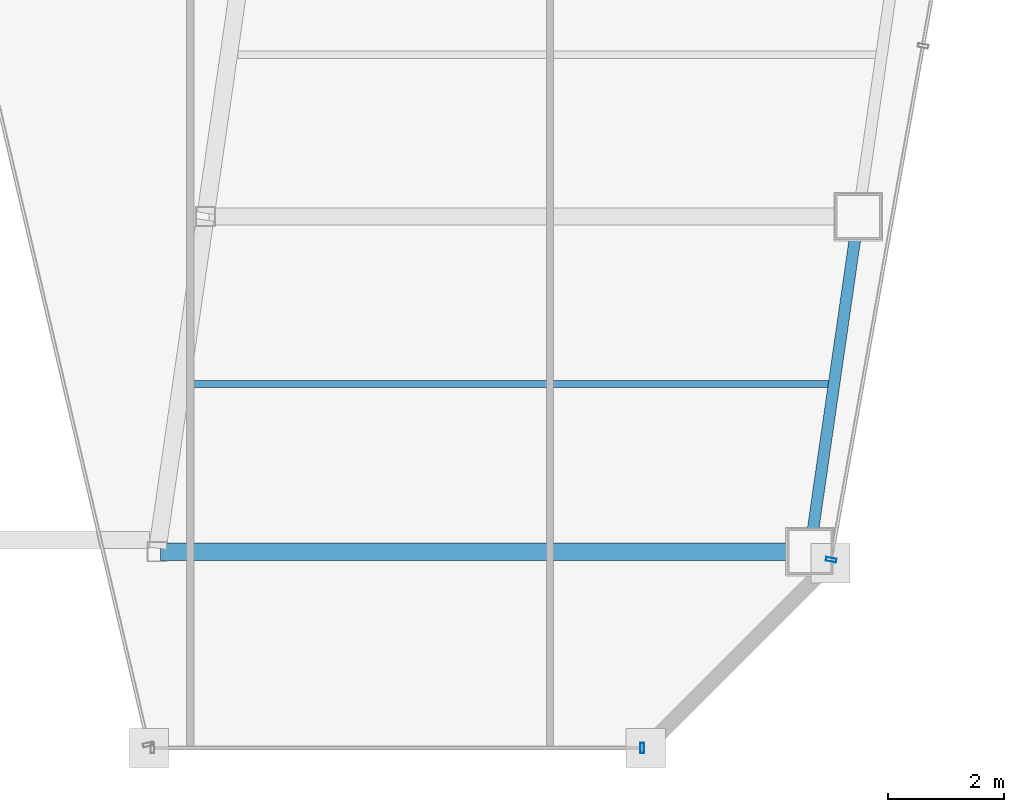
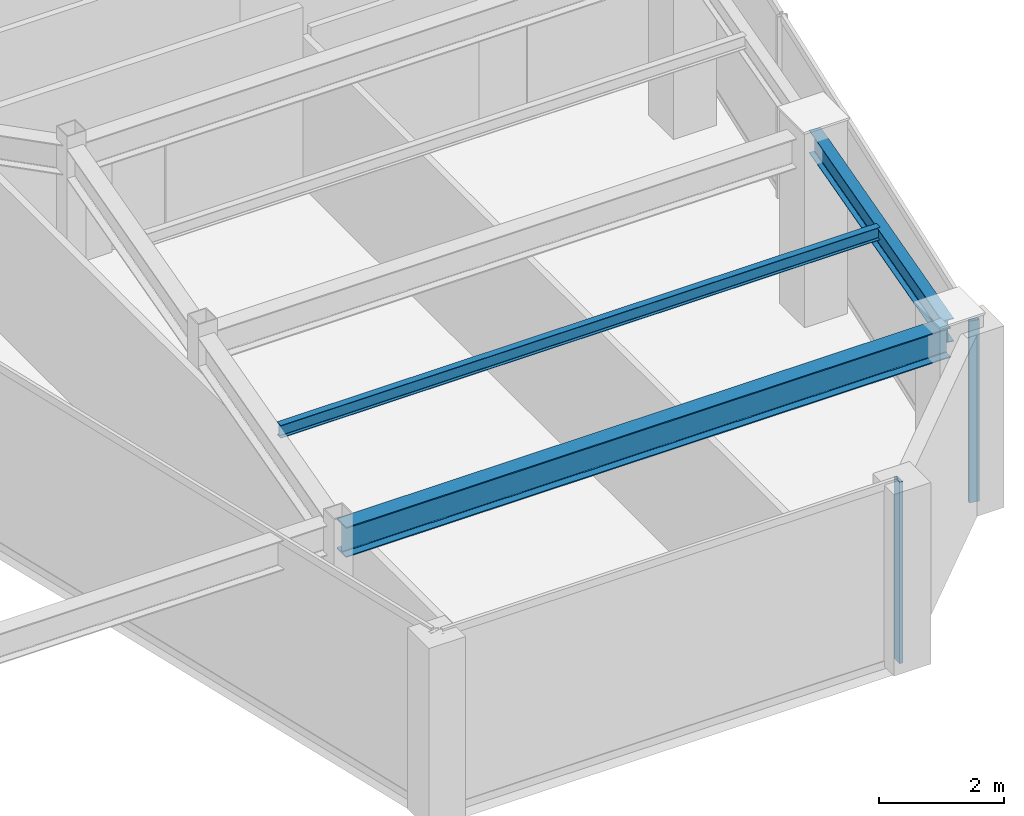
# One storey, part 14 of 32: 3 beams, 2 members, 2 elements without a shape of their own.
"""IFC4 building model written with IfcOpenShell, lengths in metres."""

import ifcopenshell
import ifcopenshell.guid

model = None  # the IFC model being written
_history = None  # IfcOwnerHistory: only IFC2X3 demands one
_inside = {}  # id of a spatial element -> (the spatial element, [elements in it])
_under = {}  # id of a project, library or spatial element -> (it, [spatial elements below it])
_declared = {}  # id of a project -> (the project, [libraries it declares])
_typed = {}  # id of a type object -> (the type object, [elements of that type])
_made_of = {}  # id of a material, layer set ... -> (it, [elements and type objects made of it])


def new_model(schema):
    """Start an empty IFC model of exactly this schema.

    Asked for "IFC4X3", IfcOpenShell would pick the latest addendum, in which some entities
    have other attributes; the version numbers below select the first issue.
    IFC2X3 requires an IfcOwnerHistory on every rooted entity: one is made here for all.
    """
    global model, _history
    if schema == "IFC4X3":
        model = ifcopenshell.file(schema_version=(4, 3, 0, 0))
    else:
        model = ifcopenshell.file(schema=schema)
    _inside.clear()
    _under.clear()
    _declared.clear()
    _typed.clear()
    _made_of.clear()
    _history = None
    if model.schema == "IFC2X3":
        org = make("IfcOrganization", Name="unknown")
        user = make(
            "IfcPersonAndOrganization",
            ThePerson=make("IfcPerson", FamilyName="unknown"),
            TheOrganization=org,
        )
        app = make(
            "IfcApplication",
            ApplicationDeveloper=org,
            Version="unknown",
            ApplicationFullName="unknown",
            ApplicationIdentifier="unknown",
        )
        _history = make(
            "IfcOwnerHistory",
            OwningUser=user,
            OwningApplication=app,
            ChangeAction="ADDED",
            CreationDate=0,
        )
    return model


def make(cls, **values):
    """One entity of the class cls with the attributes given. An attribute that is None is left unset."""
    return model.create_entity(
        cls, **{name: value for name, value in values.items() if value is not None}
    )


def rooted(cls, **values):
    """An entity with a GlobalId (a new one), such as an element, a storey or a relation."""
    return make(cls, GlobalId=ifcopenshell.guid.new(), OwnerHistory=_history, **values)


def si_unit(unit_type, name, prefix=None):
    """IfcSIUnit, for example si_unit("LENGTHUNIT", "METRE", prefix="MILLI")."""
    return make("IfcSIUnit", UnitType=unit_type, Prefix=prefix, Name=name)


def assignment(units):
    """IfcUnitAssignment: the units of a project."""
    return None if units is None else make("IfcUnitAssignment", Units=units)


def point(xyz):
    """IfcCartesianPoint."""
    return None if xyz is None else make("IfcCartesianPoint", Coordinates=xyz)


def direction(xyz):
    """IfcDirection."""
    return None if xyz is None else make("IfcDirection", DirectionRatios=xyz)


def frame(location, z_axis=None, x_axis=None):
    """IfcAxis2Placement3D, a coordinate frame: its origin and axes. An axis left out is left unset."""
    return make(
        "IfcAxis2Placement3D",
        Location=point(location),
        Axis=direction(z_axis),
        RefDirection=direction(x_axis),
    )


def frame_2d(location, x_axis=None):
    """IfcAxis2Placement2D, a coordinate frame in the plane: its origin and x axis."""
    return make(
        "IfcAxis2Placement2D", Location=point(location), RefDirection=direction(x_axis)
    )


def origin():
    """The frame at (0, 0, 0) with its axes left unset."""
    return frame((0.0, 0.0, 0.0))


def origin_2d():
    """The frame at (0, 0) in the plane with its x axis left unset."""
    return frame_2d((0.0, 0.0))


def place(relative_to, where):
    """IfcLocalPlacement: puts the frame where relative to a parent placement (None: the world)."""
    return make(
        "IfcLocalPlacement", PlacementRelTo=relative_to, RelativePlacement=where
    )


def context(
    kind, dimensions, precision=None, world=None, true_north=None, identifier=None
):
    """IfcGeometricRepresentationContext, for example the 3D "Model" context."""
    return make(
        "IfcGeometricRepresentationContext",
        ContextIdentifier=identifier,
        ContextType=kind,
        CoordinateSpaceDimension=dimensions,
        Precision=precision,
        WorldCoordinateSystem=world,
        TrueNorth=true_north,
    )


def subcontext(parent, identifier, kind, view, scale=None):
    """IfcGeometricRepresentationSubContext, for example "Body" below "Model"."""
    return make(
        "IfcGeometricRepresentationSubContext",
        ContextIdentifier=identifier,
        ContextType=kind,
        ParentContext=parent,
        TargetScale=scale,
        TargetView=view,
    )


def project(units=None, contexts=None):
    """IfcProject with its units and contexts."""
    return rooted(
        "IfcProject",
        Name="project",
        RepresentationContexts=contexts,
        UnitsInContext=assignment(units),
    )


def spatial(cls, under=None, at=None, **own):
    """A site, building, storey or space (cls), placed at a placement, below another one or the project."""
    s = rooted(cls, ObjectPlacement=at, **own)
    if under is not None:
        _under.setdefault(under.id(), (under, []))[1].append(s)
    return s


def profile(cls, at=None, kind="AREA", **sizes):
    """A parametric profile (cls). Its sizes go by their IFC names, for example OverallWidth=200.0."""
    return make(cls, ProfileType=kind, Position=at, **sizes)


def hollow_rectangle(**sizes):
    """IfcRectangleHollowProfileDef."""
    return profile("IfcRectangleHollowProfileDef", **sizes)


def i_section(**sizes):
    """IfcIShapeProfileDef."""
    return profile("IfcIShapeProfileDef", **sizes)


def extrude(swept, where, along, depth):
    """IfcExtrudedAreaSolid: the profile swept, set in the frame where, extruded along a direction by depth."""
    return make(
        "IfcExtrudedAreaSolid",
        SweptArea=swept,
        Position=where,
        ExtrudedDirection=direction(along),
        Depth=depth,
    )


def shape(context_of_items, identifier, shape_type, items):
    """IfcShapeRepresentation: the items that make up one representation, for example the "Body"."""
    return make(
        "IfcShapeRepresentation",
        ContextOfItems=context_of_items,
        RepresentationIdentifier=identifier,
        RepresentationType=shape_type,
        Items=items,
    )


def material(Name=None, Category=None):
    """IfcMaterial."""
    return make("IfcMaterial", Name=Name, Category=Category)


def material_profile(
    of_material, cross_section, Name=None, Category=None, Priority=None
):
    """IfcMaterialProfile: a cross section and its material."""
    return make(
        "IfcMaterialProfile",
        Name=Name,
        Material=of_material,
        Profile=cross_section,
        Priority=Priority,
        Category=Category,
    )


def profile_set(profiles, Name=None, composite=None):
    """IfcMaterialProfileSet."""
    return make(
        "IfcMaterialProfileSet",
        Name=Name,
        MaterialProfiles=profiles,
        CompositeProfile=composite,
    )


def made_of(thing, what):
    """Note that an element or type object is made of a material, layer set ...; save() writes the relation."""
    if what is not None:
        _made_of.setdefault(what.id(), (what, []))[1].append(thing)
    return thing


def type_object(cls, material=None, **own):
    """A type object (cls), such as IfcWallType, which elements share."""
    return made_of(rooted(cls, **own), material)


def element(
    cls,
    number,
    at=None,
    inside=None,
    cuts=None,
    type_object=None,
    material=None,
    context=None,
    identifier="Body",
    shape_type=None,
    held_by="IfcProductDefinitionShape",
    body=None,
    shapes=None,
    **own,
):
    """One element of the class cls, such as IfcWall. Its Tag is "e" and its number.

    at: its placement. inside: the storey or other place that contains it. cuts: it is an
    opening in that element (IfcRelVoidsElement). A single representation is given by context,
    identifier, shape_type and body (its items); several are given by shapes. held_by: the class
    of the entity that holds the representations. save() writes the other relations.
    """
    e = rooted(cls, Tag="e%d" % number, ObjectPlacement=at, **own)
    if body is not None:
        shapes = [shape(context, identifier, shape_type, body)]
    if shapes is not None:
        e.Representation = make(held_by, Representations=shapes)
    if inside is not None:
        _inside.setdefault(inside.id(), (inside, []))[1].append(e)
    if cuts is not None:
        rooted(
            "IfcRelVoidsElement", RelatingBuildingElement=cuts, RelatedOpeningElement=e
        )
    if type_object is not None:
        _typed.setdefault(type_object.id(), (type_object, []))[1].append(e)
    return made_of(e, material)


def aggregate(whole, parts):
    """IfcRelAggregates: a whole, such as a stair, and the parts it consists of."""
    return rooted("IfcRelAggregates", RelatingObject=whole, RelatedObjects=parts)


def save(model, path):
    """Write the relations noted so far, then the file.

    IfcRelAggregates (storeys below a building ...), IfcRelContainedInSpatialStructure (elements
    in a storey), IfcRelDefinesByType, IfcRelAssociatesMaterial and IfcRelDeclares: one each for
    every whole, place, type object, material and project.
    """
    for whole, parts in _under.values():
        aggregate(whole, parts)
    for where, things in _inside.values():
        rooted(
            "IfcRelContainedInSpatialStructure",
            RelatedElements=things,
            RelatingStructure=where,
        )
    for kind, things in _typed.values():
        rooted("IfcRelDefinesByType", RelatedObjects=things, RelatingType=kind)
    for what, things in _made_of.values():
        rooted("IfcRelAssociatesMaterial", RelatedObjects=things, RelatingMaterial=what)
    for by, libraries in _declared.values():
        rooted("IfcRelDeclares", RelatingContext=by, RelatedDefinitions=libraries)
    model.write(path)


model = new_model("IFC4")

# Units and contexts
model_context = context("Model", 3, precision=1e-05, world=origin(), true_north=direction((0.0, 1.0)))
body_context = subcontext(model_context, "Body", "Model", "MODEL_VIEW")
ifc_project = project(units=[si_unit("LENGTHUNIT", "METRE"), si_unit("AREAUNIT", "SQUARE_METRE"), si_unit("VOLUMEUNIT", "CUBIC_METRE"), si_unit("PLANEANGLEUNIT", "RADIAN"), si_unit("MASSUNIT", "GRAM", prefix="KILO")], contexts=[model_context])

# Site, building, storey
site_placement = place(None, origin())
site = spatial("IfcSite", under=ifc_project, at=site_placement, CompositionType="ELEMENT")
building_placement = place(site_placement, origin())
building = spatial("IfcBuilding", under=site, at=building_placement, Name="Saevonmaru Cultural Tower", CompositionType="ELEMENT")
storey_placement = place(building_placement, frame((0.0, 0.0, 257.199951171875)))
storey = spatial("IfcBuildingStorey", under=building, at=storey_placement, Name="L60", CompositionType="ELEMENT", Elevation=257.199951171875)

# Beams
ifc_material_1 = material(Name="Steel SM355", Category="steel")
ifc_material_profile_1 = material_profile(ifc_material_1, i_section(OverallWidth=0.300048828125, OverallDepth=0.587890625, WebThickness=0.011962890625, FlangeThickness=0.02001953125, FilletRadius=0.02392578125, at=origin_2d()), Name="H-588x300x12x20")
ifc_profile_set_1 = profile_set([ifc_material_profile_1], Name="Steel SM355")
beam_type_1 = type_object("IfcBeamType", Name="BM-G-H588", PredefinedType="BEAM", material=ifc_profile_set_1)
beam_1_placement = place(storey_placement, frame((39.60595703125, 26.199951171875, 3.256103515625), z_axis=(1.0, 0.0, 0.0), x_axis=(0.0, 1.0, 0.0)))
element("IfcBeam", 1, at=beam_1_placement, inside=storey, type_object=beam_type_1, Name="L60 East Wing Transverse Girder 1", PredefinedType="BEAM", context=body_context, shape_type="SweptSolid", body=[
    extrude(i_section(OverallWidth=0.300048828125, OverallDepth=0.587890625, WebThickness=0.011962890625, FlangeThickness=0.02001953125, FilletRadius=0.02392578125, at=origin_2d()), origin(), (0.0, 0.0, 1.0), 11.179931640625),
])
ifc_material_profile_2 = material_profile(ifc_material_1, i_section(OverallWidth=0.125, OverallDepth=0.25, WebThickness=0.006103515625, FlangeThickness=0.009033203125, FilletRadius=0.008056640625, at=origin_2d()), Name="H-250x125x6x9")
ifc_profile_set_2 = profile_set([ifc_material_profile_2], Name="Steel SM355")
beam_type_2 = type_object("IfcBeamType", Name="BM-J-H250", PredefinedType="JOIST", material=ifc_profile_set_2)
beam_2_placement = place(storey_placement, frame((40.12255859375, 29.10009765625, 3.425048828125), z_axis=(1.0, 0.0, 0.0), x_axis=(0.0, 1.0, 0.0)))
element("IfcBeam", 2, at=beam_2_placement, inside=storey, type_object=beam_type_2, Name="L60 East Wing Floor Joist 1", PredefinedType="JOIST", context=body_context, shape_type="SweptSolid", body=[
    extrude(i_section(OverallWidth=0.125, OverallDepth=0.25, WebThickness=0.006103515625, FlangeThickness=0.009033203125, FilletRadius=0.008056640625, at=origin_2d()), origin(), (0.0, 0.0, 1.0), 11.08203125),
])
ifc_material_profile_3 = material_profile(ifc_material_1, i_section(OverallWidth=0.199951171875, OverallDepth=0.449951171875, WebThickness=0.009033203125, FlangeThickness=0.013916015625, FilletRadius=0.01806640625, at=origin_2d()), Name="H-450x200x9x14")
ifc_profile_set_3 = profile_set([ifc_material_profile_3], Name="Steel SM355")
beam_type_3 = type_object("IfcBeamType", Name="BM-SP-H450", PredefinedType="SPANDREL", material=ifc_profile_set_3)
beam_3_placement = place(storey_placement, frame((50.8544921875, 26.259521484375, 3.324951171875), z_axis=(0.142826510921, 0.989747739466, 0.0), x_axis=(-0.989747739466, 0.142826510921, 0.0)))
element("IfcBeam", 3, at=beam_3_placement, inside=storey, type_object=beam_type_3, Name="L60 East Splayed Spandrel 1", PredefinedType="SPANDREL", context=body_context, shape_type="SweptSolid", body=[
    extrude(i_section(OverallWidth=0.199951171875, OverallDepth=0.449951171875, WebThickness=0.009033203125, FlangeThickness=0.013916015625, FilletRadius=0.01806640625, at=origin_2d()), origin(), (0.0, 0.0, 1.0), 5.739990234375),
])

# Curtain wall, member
ifc_material_2 = material(Name="Satin Bronze Anodised Aluminium", Category="aluminium")
curtain_wall_type = type_object("IfcCurtainWallType", Name="CW-TYP-B", PredefinedType="NOTDEFINED", material=ifc_material_2)
curtain_wall_1_placement = place(storey_placement, origin())
curtain_wall_1 = element("IfcCurtainWall", 4, at=curtain_wall_1_placement, inside=storey, type_object=curtain_wall_type, Name="L60 Unitised Curtain Wall E6", PredefinedType="NOTDEFINED")
ifc_material_profile_4 = material_profile(ifc_material_2, hollow_rectangle(XDim=0.06494140625, YDim=0.179931640625, WallThickness=0.00390625, at=origin_2d()), Name="ALU-MULL-180x65x4")
ifc_profile_set_4 = profile_set([ifc_material_profile_4], Name="Satin Bronze Anodised Aluminium")
member_type = type_object("IfcMemberType", Name="ML-CW-180x65", PredefinedType="MULLION", material=ifc_profile_set_4)
member_1_placement = place(storey_placement, frame((47.9443359375, 22.800048828125, 0.0), z_axis=(0.0, 0.0, 1.0), x_axis=(1.0, 0.0, 0.0)))
member_1 = element("IfcMember", 5, at=member_1_placement, type_object=member_type, Name="CW-TW-L60-E6 mullion 2", PredefinedType="MULLION", context=body_context, shape_type="SweptSolid", body=[
    extrude(hollow_rectangle(XDim=0.06494140625, YDim=0.179931640625, WallThickness=0.00390625, at=origin_2d()), origin(), (0.0, 0.0, 1.0), 3.550048828125),
])
aggregate(curtain_wall_1, [member_1])

curtain_wall_2_placement = place(storey_placement, origin())
curtain_wall_2 = element("IfcCurtainWall", 6, at=curtain_wall_2_placement, inside=storey, type_object=curtain_wall_type, Name="L60 Unitised Curtain Wall E8", PredefinedType="NOTDEFINED")
member_2_placement = place(storey_placement, frame((51.215087890625, 26.05908203125, 0.0), z_axis=(0.0, 0.0, 1.0), x_axis=(0.176140740755, 0.984364993001, 0.0)))
member_2 = element("IfcMember", 7, at=member_2_placement, type_object=member_type, Name="CW-TW-L60-E8 mullion 1", PredefinedType="MULLION", context=body_context, shape_type="SweptSolid", body=[
    extrude(hollow_rectangle(XDim=0.06494140625, YDim=0.179931640625, WallThickness=0.00390625, at=origin_2d()), origin(), (0.0, 0.0, 1.0), 3.550048828125),
])
aggregate(curtain_wall_2, [member_2])

save(model, "model.ifc")
